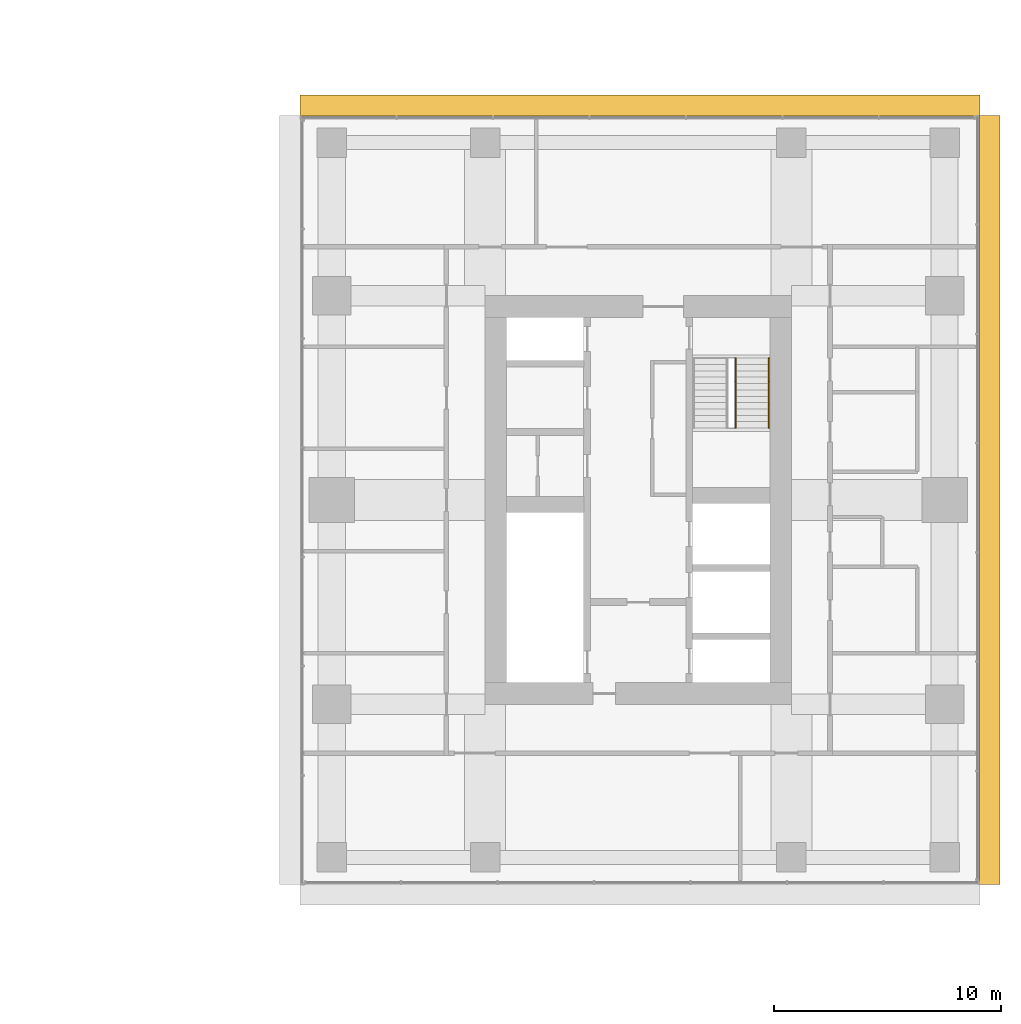
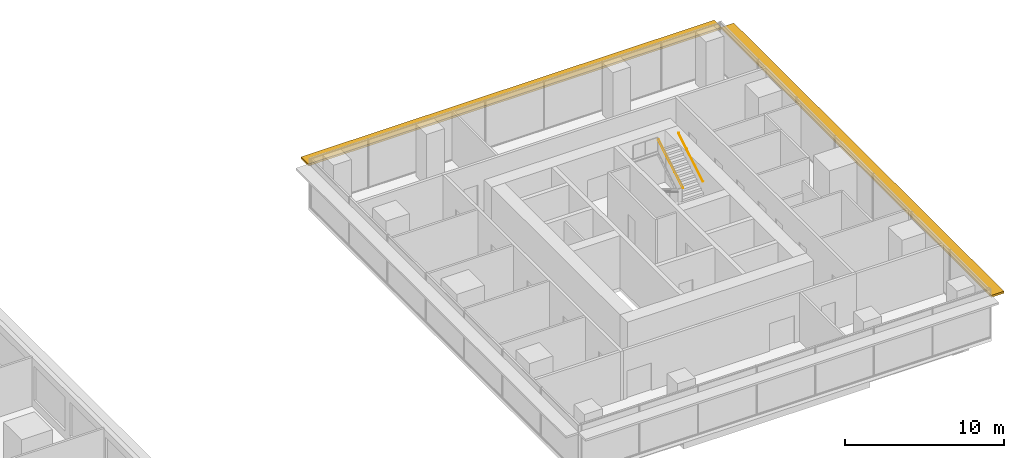
# One storey, part 14 of 14: 2 railings, 2 shading devices.
"""IFC4 building model written with IfcOpenShell, lengths in metres."""

from ifc_helpers import new_model, si_unit, direction, frame, origin, origin_2d, place, context, subcontext, project, spatial, rectangle, circle, extrude, material, layer, layer_set, type_object, element, save


model = new_model("IFC4")

# Units and contexts
model_context = context("Model", 3, precision=1e-05, world=origin(), true_north=direction((0.0, 1.0)))
body_context = subcontext(model_context, "Body", "Model", "MODEL_VIEW")
ifc_project = project(units=[si_unit("LENGTHUNIT", "METRE"), si_unit("AREAUNIT", "SQUARE_METRE"), si_unit("VOLUMEUNIT", "CUBIC_METRE"), si_unit("PLANEANGLEUNIT", "RADIAN"), si_unit("MASSUNIT", "GRAM", prefix="KILO")], contexts=[model_context])

# Site, building, storey
site_placement = place(None, origin())
site = spatial("IfcSite", under=ifc_project, at=site_placement, CompositionType="ELEMENT")
building_placement = place(site_placement, origin())
building = spatial("IfcBuilding", under=site, at=building_placement, Name="Namib Vertical Campus", CompositionType="ELEMENT")
storey_placement = place(building_placement, frame((0.0, 0.0, 233.0)))
storey = spatial("IfcBuildingStorey", under=building, at=storey_placement, Name="L55", CompositionType="ELEMENT", Elevation=233.0)

# Railings
ifc_material_1 = material(Name="Steel handrail", Category="steel")
railing_type = type_object("IfcRailingType", Name="Handrail 900", PredefinedType="HANDRAIL", material=ifc_material_1)
railing_1_placement = place(storey_placement, frame((86.75, 23.419921875, 2.166748046875)))
element("IfcRailing", 1, at=railing_1_placement, inside=storey, type_object=railing_type, Name="Handrail HR1 B-S2 L55 2", PredefinedType="HANDRAIL", context=body_context, shape_type="SweptSolid", body=[
    extrude(circle(Radius=0.02392578125, at=origin_2d()), frame((0.0, 0.0, 0.8759765625), z_axis=(0.0, 0.859308565015, 0.511457515432), x_axis=(-1.0, 0.0, 0.0)), (0.0, 0.0, 1.0), 3.58447265625),
    extrude(circle(Radius=0.008056640625, at=origin_2d()), frame((0.0, 0.0, 0.8759765625), z_axis=(1.0, 0.0, 0.0), x_axis=(0.0, 0.0, 1.0)), (0.0, 0.0, 1.0), 0.050048828125),
    extrude(circle(Radius=0.008056640625, at=origin_2d()), frame((0.0, 1.026611328125, 1.48681640625), z_axis=(1.0, 0.0, 0.0), x_axis=(0.0, 0.0, 1.0)), (0.0, 0.0, 1.0), 0.050048828125),
    extrude(circle(Radius=0.008056640625, at=origin_2d()), frame((0.0, 2.053466796875, 2.09814453125), z_axis=(1.0, 0.0, 0.0), x_axis=(0.0, 0.0, 1.0)), (0.0, 0.0, 1.0), 0.050048828125),
    extrude(circle(Radius=0.008056640625, at=origin_2d()), frame((0.0, 3.080078125, 2.708984375), z_axis=(1.0, 0.0, 0.0), x_axis=(0.0, 0.0, 1.0)), (0.0, 0.0, 1.0), 0.050048828125),
])
railing_2_placement = place(storey_placement, frame((85.300048828125, 23.419921875, 2.166748046875)))
element("IfcRailing", 2, at=railing_2_placement, inside=storey, type_object=railing_type, Name="Handrail HR1 B-S2 L55 2 at the well", PredefinedType="HANDRAIL", context=body_context, shape_type="SweptSolid", body=[
    extrude(circle(Radius=0.02392578125, at=origin_2d()), frame((0.0, 0.0, 0.8759765625), z_axis=(0.0, 0.859308565015, 0.511457515432), x_axis=(-1.0, 0.0, 0.0)), (0.0, 0.0, 1.0), 3.58447265625),
    extrude(circle(Radius=0.008056640625, at=origin_2d()), frame((0.0, 0.0, 0.8759765625), z_axis=(-1.0, 0.0, 0.0), x_axis=(0.0, 0.0, 1.0)), (0.0, 0.0, 1.0), 0.0400390625),
    extrude(circle(Radius=0.008056640625, at=origin_2d()), frame((0.0, 1.026611328125, 1.48681640625), z_axis=(-1.0, 0.0, 0.0), x_axis=(0.0, 0.0, 1.0)), (0.0, 0.0, 1.0), 0.0400390625),
    extrude(circle(Radius=0.008056640625, at=origin_2d()), frame((0.0, 2.053466796875, 2.09814453125), z_axis=(-1.0, 0.0, 0.0), x_axis=(0.0, 0.0, 1.0)), (0.0, 0.0, 1.0), 0.0400390625),
    extrude(circle(Radius=0.008056640625, at=origin_2d()), frame((0.0, 3.080078125, 2.708984375), z_axis=(-1.0, 0.0, 0.0), x_axis=(0.0, 0.0, 1.0)), (0.0, 0.0, 1.0), 0.0400390625),
])

# Shading devices
ifc_material_2 = material(Name="Concrete C40/50 precast", Category="concrete")
ifc_layer = layer(ifc_material_2, 0.14990234375)
ifc_layer_set = layer_set([ifc_layer], Name="Concrete C40/50 precast")
shading_device_type = type_object("IfcShadingDeviceType", Name="Sunshade hood 900", PredefinedType="SHUTTER", material=ifc_layer_set)
shading_device_1_placement = place(storey_placement, frame((96.489990234375, 20.25, 3.10009765625), z_axis=(0.0, 0.0, 1.0), x_axis=(0.0, 1.0, 0.0)))
element("IfcShadingDevice", 3, at=shading_device_1_placement, inside=storey, type_object=shading_device_type, Name="Sunshade SH1 L55 2", PredefinedType="SHUTTER", context=body_context, shape_type="SweptSolid", body=[
    extrude(rectangle(XDim=33.89990234375, YDim=0.919921875, at=origin_2d()), origin(), (0.0, 0.0, 1.0), 0.14990234375),
])
shading_device_2_placement = place(storey_placement, frame((81.074951171875, 37.639892578125, 3.10009765625), z_axis=(0.0, 0.0, 1.0), x_axis=(-1.0, 0.0, 0.0)))
element("IfcShadingDevice", 4, at=shading_device_2_placement, inside=storey, type_object=shading_device_type, Name="Sunshade SH1 L55 3", PredefinedType="SHUTTER", context=body_context, shape_type="SweptSolid", body=[
    extrude(rectangle(XDim=29.949951171875, YDim=0.919921875, at=origin_2d()), origin(), (0.0, 0.0, 1.0), 0.14990234375),
])

save(model, "model.ifc")
